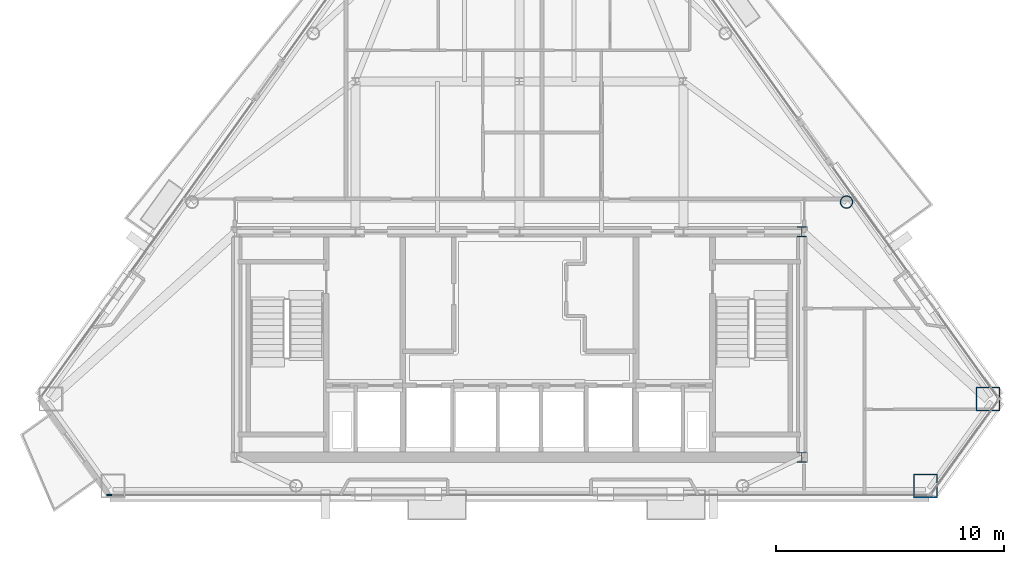
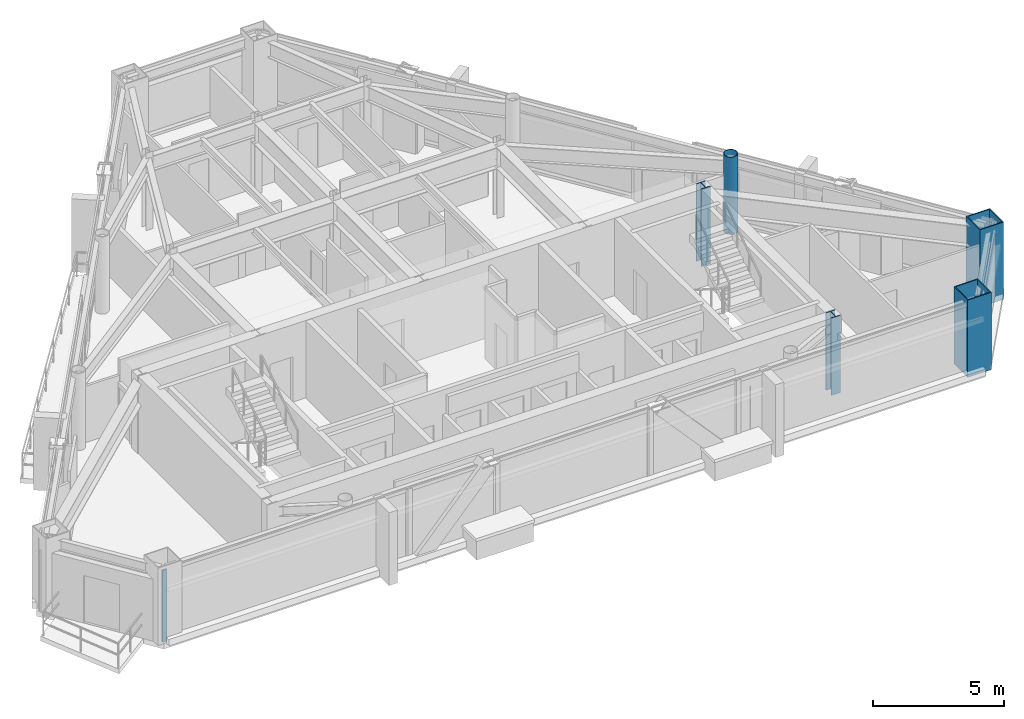
# One storey, part 2 of 11: 5 columns, 1 member, 1 element without a shape of its own.
"""IFC4 building model written with IfcOpenShell, lengths in metres."""

from ifc_helpers import new_model, si_unit, direction, frame, origin, origin_2d, place, context, subcontext, project, spatial, rectangle, hollow_rectangle, hollow_circle, i_section, extrude, material, layer, layer_set, material_profile, profile_set, type_object, element, aggregate, save


model = new_model("IFC4")

# Units and contexts
model_context = context("Model", 3, precision=1e-05, world=origin(), true_north=direction((0.0, 1.0)))
body_context = subcontext(model_context, "Body", "Model", "MODEL_VIEW")
ifc_project = project(units=[si_unit("LENGTHUNIT", "METRE"), si_unit("AREAUNIT", "SQUARE_METRE"), si_unit("VOLUMEUNIT", "CUBIC_METRE"), si_unit("PLANEANGLEUNIT", "RADIAN"), si_unit("MASSUNIT", "GRAM", prefix="KILO")], contexts=[model_context])

# Site, building, storey
site_placement = place(None, origin())
site = spatial("IfcSite", under=ifc_project, at=site_placement, CompositionType="ELEMENT")
building_placement = place(site_placement, origin())
building = spatial("IfcBuilding", under=site, at=building_placement, Name="Talgorran Terracotta Tower", CompositionType="ELEMENT")
storey_placement = place(building_placement, frame((0.0, 0.0, 218.10009765625)))
storey = spatial("IfcBuildingStorey", under=building, at=storey_placement, Name="L57", CompositionType="ELEMENT", Elevation=218.10009765625)

# Columns
ifc_material_1 = material(Name="Steel S355 (300PLUS)", Category="steel")
ifc_material_profile_1 = material_profile(ifc_material_1, i_section(OverallWidth=0.39990234375, OverallDepth=0.43994140625, WebThickness=0.028076171875, FlangeThickness=0.0400390625, at=origin_2d()), Name="400WC328")
ifc_profile_set_1 = profile_set([ifc_material_profile_1], Name="Steel S355 (300PLUS)")
column_type_1 = type_object("IfcColumnType", Name="COL_400WC328", PredefinedType="COLUMN", material=ifc_profile_set_1)
for number, where, z_axis, x_axis, name in (
    (1, (12.39990234375, -14.10009765625, 0.0), (0.0, 0.0, 1.0), (1.0, 0.0, 0.0), "L57 Core Boundary Column CC2"),
    (2, (12.39990234375, -4.199951171875, 0.0), (0.0, 0.0, 1.0), (1.0, 0.0, 0.0), "L57 Core Boundary Column CC3"),
):
    element("IfcColumn", number, at=place(storey_placement, frame(where, z_axis=z_axis, x_axis=x_axis)), inside=storey, type_object=column_type_1, Name=name, PredefinedType="COLUMN", context=body_context, shape_type="SweptSolid", body=[
        extrude(i_section(OverallWidth=0.39990234375, OverallDepth=0.43994140625, WebThickness=0.028076171875, FlangeThickness=0.0400390625, at=origin_2d()), origin(), (0.0, 0.0, 1.0), 3.599853515625),
    ])
ifc_material_2 = material(Name="Steel Grade 350 (350L0)", Category="steel")
ifc_material_profile_2 = material_profile(ifc_material_2, hollow_rectangle(XDim=1.050048828125, YDim=1.050048828125, WallThickness=0.044921875, at=origin_2d()), Name="CFT1050X1050X45")
ifc_profile_set_2 = profile_set([ifc_material_profile_2], Name="Steel Grade 350 (350L0)")
column_type_2 = type_object("IfcColumnType", Name="COL_CFT_1050", PredefinedType="COLUMN", material=ifc_profile_set_2)
for number, where, z_axis, x_axis, name in (
    (3, (17.830078125, -15.352294921875, 0.0), (0.0, 0.0, 1.0), (1.0, 0.0, 0.0), "L57 Corner CFT Mega-Column MC3"),
    (4, (20.566650390625, -11.53955078125, 0.0), (0.0, 0.0, 1.0), (1.0, 0.0, 0.0), "L57 Corner CFT Mega-Column MC4"),
):
    element("IfcColumn", number, at=place(storey_placement, frame(where, z_axis=z_axis, x_axis=x_axis)), inside=storey, type_object=column_type_2, Name=name, PredefinedType="COLUMN", context=body_context, shape_type="SweptSolid", body=[
        extrude(hollow_rectangle(XDim=1.050048828125, YDim=1.050048828125, WallThickness=0.044921875, at=origin_2d()), origin(), (0.0, 0.0, 1.0), 3.599853515625),
    ])
ifc_material_profile_3 = material_profile(ifc_material_2, hollow_circle(Radius=0.27490234375, WallThickness=0.02392578125, at=origin_2d()), Name="CHS550X24")
ifc_profile_set_3 = profile_set([ifc_material_profile_3], Name="Steel Grade 350 (350L0)")
column_type_3 = type_object("IfcColumnType", Name="COL_CHS_550", PredefinedType="COLUMN", material=ifc_profile_set_3)
column_placement = place(storey_placement, frame((14.36328125, -2.897216796875, 0.0), z_axis=(0.0, 0.0, 1.0), x_axis=(1.0, 0.0, 0.0)))
element("IfcColumn", 5, at=column_placement, inside=storey, type_object=column_type_3, Name="L57 Facet Perimeter Column FC3", PredefinedType="COLUMN", context=body_context, shape_type="SweptSolid", body=[
    extrude(hollow_circle(Radius=0.27490234375, WallThickness=0.02392578125, at=origin_2d()), origin(), (0.0, 0.0, 1.0), 3.599853515625),
])

# Curtain wall, member
ifc_material_3 = material(Name="High-Wind Unitised Glazing", Category="glass")
ifc_layer = layer(ifc_material_3, 0.2099609375, Name="CW_SYS3_RES_HIGH")
ifc_layer_set = layer_set([ifc_layer], Name="High-Wind Unitised Glazing")
curtain_wall_type = type_object("IfcCurtainWallType", Name="CW_SYS3_RES_HIGH", PredefinedType="NOTDEFINED", material=ifc_layer_set)
curtain_wall_placement = place(storey_placement, origin())
curtain_wall = element("IfcCurtainWall", 6, at=curtain_wall_placement, inside=storey, type_object=curtain_wall_type, Name="CW-L57-F1", PredefinedType="NOTDEFINED")
ifc_material_4 = material(Name="Architectural Aluminium 6063-T6", Category="aluminium")
ifc_material_profile_4 = material_profile(ifc_material_4, rectangle(XDim=0.070068359375, YDim=0.199951171875, at=origin_2d()), Name="CWM70X200")
ifc_profile_set_4 = profile_set([ifc_material_profile_4], Name="Architectural Aluminium 6063-T6")
member_type = type_object("IfcMemberType", Name="MUL_70X200", PredefinedType="MULLION", material=ifc_profile_set_4)
member_placement = place(storey_placement, frame((-18.00048828125, -15.752197265625, 0.0), z_axis=(0.0, 0.0, 1.0), x_axis=(0.0, 1.0, 0.0)))
member = element("IfcMember", 7, at=member_placement, type_object=member_type, Name="CW-L57-1 mullion 1", PredefinedType="MULLION", context=body_context, shape_type="SweptSolid", body=[
    extrude(rectangle(XDim=0.070068359375, YDim=0.199951171875, at=origin_2d()), origin(), (0.0, 0.0, 1.0), 3.344970703125),
])
aggregate(curtain_wall, [member])

save(model, "model.ifc")
